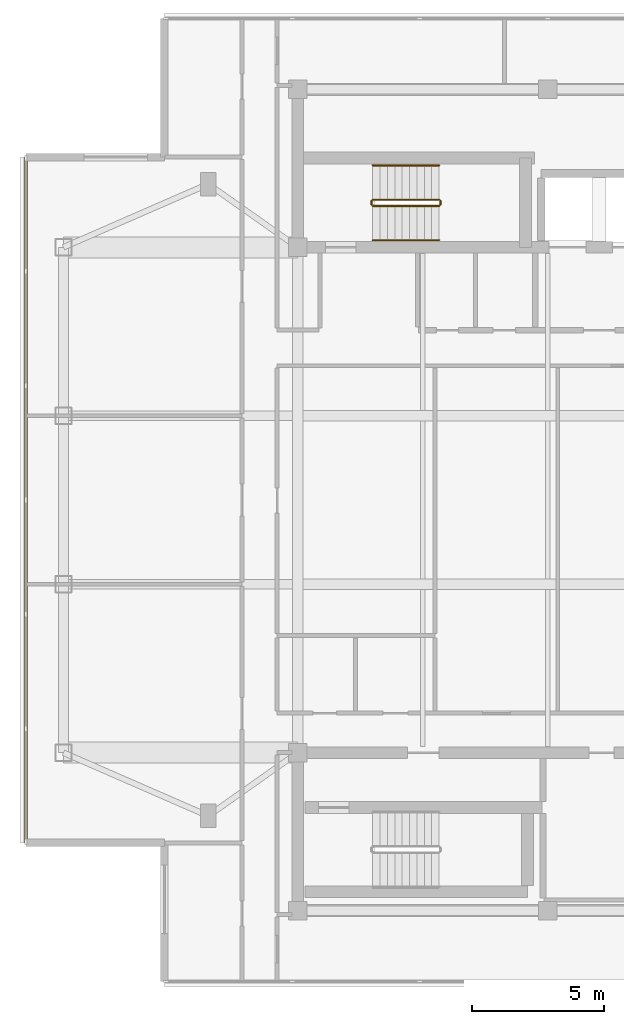
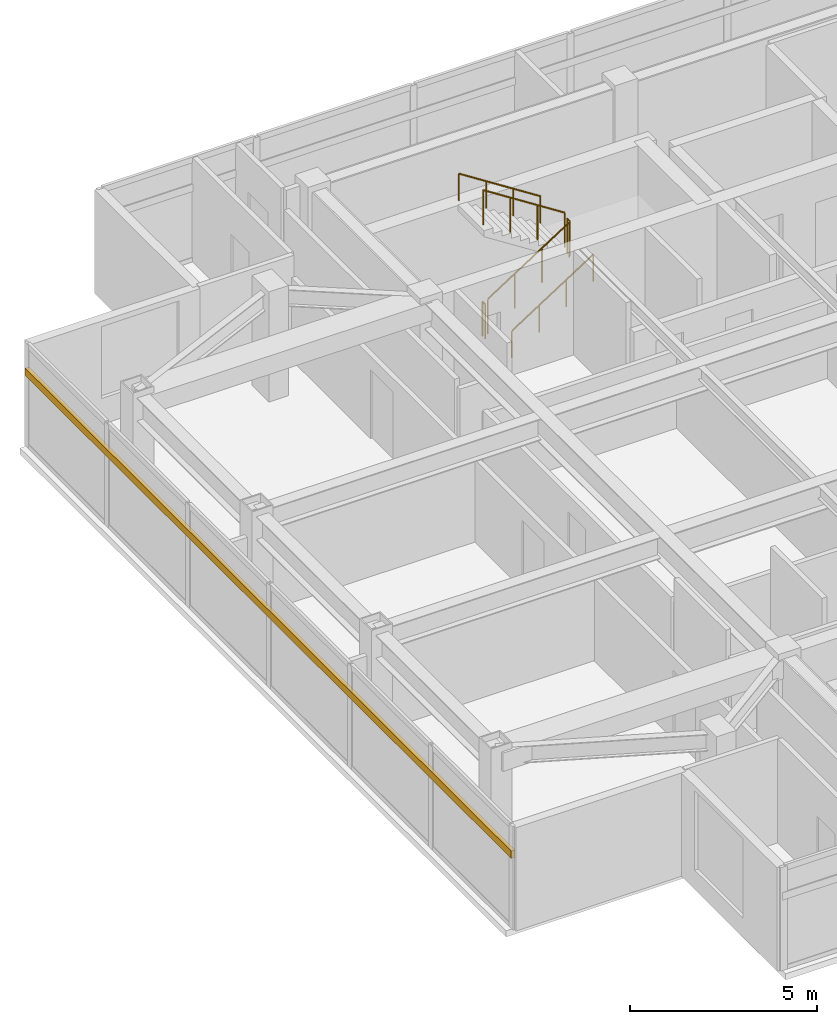
# One storey, part 9 of 10: 6 railings, 1 shading device.
"""IFC4 building model written with IfcOpenShell, lengths in metres."""

from ifc_helpers import new_model, si_unit, direction, frame, origin, origin_2d, place, context, subcontext, project, spatial, rectangle, circle, extrude, material, material_profile, profile_set, type_object, element, save


model = new_model("IFC4")

# Units and contexts
model_context = context("Model", 3, precision=1e-05, world=origin(), true_north=direction((0.0, 1.0)))
body_context = subcontext(model_context, "Body", "Model", "MODEL_VIEW")
ifc_project = project(units=[si_unit("LENGTHUNIT", "METRE"), si_unit("AREAUNIT", "SQUARE_METRE"), si_unit("VOLUMEUNIT", "CUBIC_METRE"), si_unit("PLANEANGLEUNIT", "RADIAN"), si_unit("MASSUNIT", "GRAM", prefix="KILO")], contexts=[model_context])

# Site, building, storey
site_placement = place(None, origin())
site = spatial("IfcSite", under=ifc_project, at=site_placement, CompositionType="ELEMENT")
building_placement = place(site_placement, origin())
building = spatial("IfcBuilding", under=site, at=building_placement, Name="Mirazonda Arch Towers", CompositionType="ELEMENT")
storey_placement = place(building_placement, frame((0.0, 0.0, 249.10009765625)))
storey = spatial("IfcBuildingStorey", under=building, at=storey_placement, Name="L71", CompositionType="ELEMENT", Elevation=249.10009765625)

# Shading device
ifc_material_1 = material(Name="Kiln-Fired Architectural Terracotta", Category="masonry")
ifc_material_profile = material_profile(ifc_material_1, rectangle(XDim=0.1201171875, YDim=0.239990234375, at=origin_2d()), Name="TERRA-BAG-120x240")
ifc_profile_set = profile_set([ifc_material_profile], Name="Kiln-Fired Architectural Terracotta")
shading_device_type = type_object("IfcShadingDeviceType", Name="BAGUETTE-1", PredefinedType="USERDEFINED", material=ifc_profile_set)
shading_device_placement = place(storey_placement, frame((0.669921875, 41.02490234375, 2.43359375), z_axis=(0.0, -1.0, 0.0), x_axis=(1.0, 0.0, 0.0)))
element("IfcShadingDevice", 1, at=shading_device_placement, inside=storey, type_object=shading_device_type, Name="L71 Glazed Terracotta Sun-Screen Baguette CW-L71-T1-W", ObjectType="BAGUETTE", PredefinedType="USERDEFINED", context=body_context, shape_type="SweptSolid", body=[
    extrude(rectangle(XDim=0.1201171875, YDim=0.239990234375, at=origin_2d()), origin(), (0.0, 0.0, 1.0), 26.0498046875),
])

# Railings
ifc_material_2 = material(Name="Architectural Brushed Steel S355", Category="steel")
railing_type_1 = type_object("IfcRailingType", Name="GUARD-STAIR-1120", PredefinedType="GUARDRAIL", material=ifc_material_2)
railing_1_placement = place(storey_placement, frame((13.85009765625, 39.169921875, 0.179931640625)))
element("IfcRailing", 2, at=railing_1_placement, inside=storey, type_object=railing_type_1, Name="L71 ST-T1N stair guard 1", PredefinedType="GUARDRAIL", context=body_context, shape_type="SweptSolid", body=[
    extrude(circle(Radius=0.02392578125, at=origin_2d()), frame((0.0, 0.0, 1.1259765625), z_axis=(0.841199657755, 0.0, 0.540724639528), x_axis=(0.0, 1.0, 0.0)), (0.0, 0.0, 1.0), 2.995849609375),
    extrude(circle(Radius=0.02099609375, at=origin_2d()), origin(), (0.0, 0.0, 1.0), 1.101806640625),
    extrude(circle(Radius=0.02099609375, at=origin_2d()), frame((0.840087890625, 0.0, 0.5400390625)), (0.0, 0.0, 1.0), 1.101806640625),
    extrude(circle(Radius=0.02099609375, at=origin_2d()), frame((1.679931640625, 0.0, 1.079833984375)), (0.0, 0.0, 1.0), 1.101806640625),
    extrude(circle(Radius=0.02099609375, at=origin_2d()), frame((2.52001953125, 0.0, 1.619873046875)), (0.0, 0.0, 1.0), 1.101806640625),
])
railing_2_placement = place(storey_placement, frame((16.419921875, 39.219970703125, 1.7998046875)))
element("IfcRailing", 3, at=railing_2_placement, inside=storey, type_object=railing_type_1, Name="L71 ST-T1N stair guard 2", PredefinedType="GUARDRAIL", context=body_context, shape_type="SweptSolid", body=[
    extrude(circle(Radius=0.02392578125, at=origin_2d()), frame((0.0, 0.0, 1.1259765625), z_axis=(0.0, 1.0, 0.0), x_axis=(-1.0, 0.0, 0.0)), (0.0, 0.0, 1.0), 0.14013671875),
    extrude(circle(Radius=0.02099609375, at=origin_2d()), origin(), (0.0, 0.0, 1.0), 1.101806640625),
    extrude(circle(Radius=0.02099609375, at=origin_2d()), frame((0.0, 0.14013671875, 0.0)), (0.0, 0.0, 1.0), 1.101806640625),
])
railing_3_placement = place(storey_placement, frame((16.3701171875, 39.409912109375, 1.97998046875)))
element("IfcRailing", 4, at=railing_3_placement, inside=storey, type_object=railing_type_1, Name="L71 ST-T1N stair guard 3", PredefinedType="GUARDRAIL", context=body_context, shape_type="SweptSolid", body=[
    extrude(circle(Radius=0.02392578125, at=origin_2d()), frame((0.0, 0.0, 1.1259765625), z_axis=(-0.841199657755, 0.0, 0.540724639528), x_axis=(0.0, -1.0, 0.0)), (0.0, 0.0, 1.0), 2.995849609375),
    extrude(circle(Radius=0.02099609375, at=origin_2d()), origin(), (0.0, 0.0, 1.0), 1.101806640625),
    extrude(circle(Radius=0.02099609375, at=origin_2d()), frame((-0.840087890625, 0.0, 0.5400390625)), (0.0, 0.0, 1.0), 1.101806640625),
    extrude(circle(Radius=0.02099609375, at=origin_2d()), frame((-1.679931640625, 0.0, 1.079833984375)), (0.0, 0.0, 1.0), 1.101806640625),
    extrude(circle(Radius=0.02099609375, at=origin_2d()), frame((-2.52001953125, 0.0, 1.619873046875)), (0.0, 0.0, 1.0), 1.101806640625),
])
railing_4_placement = place(storey_placement, frame((13.800048828125, 39.219970703125, 0.0)))
element("IfcRailing", 5, at=railing_4_placement, inside=storey, type_object=railing_type_1, Name="L71 ST-T1N stair guard 4", PredefinedType="GUARDRAIL", context=body_context, shape_type="SweptSolid", body=[
    extrude(circle(Radius=0.02392578125, at=origin_2d()), frame((0.0, 0.0, 1.1259765625), z_axis=(0.0, 1.0, 0.0), x_axis=(-1.0, 0.0, 0.0)), (0.0, 0.0, 1.0), 0.14013671875),
    extrude(circle(Radius=0.02099609375, at=origin_2d()), origin(), (0.0, 0.0, 1.0), 1.101806640625),
    extrude(circle(Radius=0.02099609375, at=origin_2d()), frame((0.0, 0.14013671875, 0.0)), (0.0, 0.0, 1.0), 1.101806640625),
])
railing_type_2 = type_object("IfcRailingType", Name="HANDRAIL-915", PredefinedType="HANDRAIL", material=ifc_material_2)
railing_5_placement = place(storey_placement, frame((13.85009765625, 37.8701171875, 0.179931640625)))
element("IfcRailing", 6, at=railing_5_placement, inside=storey, type_object=railing_type_2, Name="L71 ST-T1N stair handrail 1", PredefinedType="HANDRAIL", context=body_context, shape_type="SweptSolid", body=[
    extrude(circle(Radius=0.02392578125, at=origin_2d()), frame((0.0, 0.0, 0.8759765625), z_axis=(0.841199657755, 0.0, 0.540724639528), x_axis=(0.0, 1.0, 0.0)), (0.0, 0.0, 1.0), 2.995849609375),
    extrude(circle(Radius=0.02099609375, at=origin_2d()), origin(), (0.0, 0.0, 1.0), 0.851806640625),
    extrude(circle(Radius=0.02099609375, at=origin_2d()), frame((0.840087890625, 0.0, 0.5400390625)), (0.0, 0.0, 1.0), 0.851806640625),
    extrude(circle(Radius=0.02099609375, at=origin_2d()), frame((1.679931640625, 0.0, 1.079833984375)), (0.0, 0.0, 1.0), 0.851806640625),
    extrude(circle(Radius=0.02099609375, at=origin_2d()), frame((2.52001953125, 0.0, 1.619873046875)), (0.0, 0.0, 1.0), 0.851806640625),
])
railing_6_placement = place(storey_placement, frame((16.3701171875, 40.7099609375, 1.97998046875)))
element("IfcRailing", 7, at=railing_6_placement, inside=storey, type_object=railing_type_2, Name="L71 ST-T1N stair handrail 2", PredefinedType="HANDRAIL", context=body_context, shape_type="SweptSolid", body=[
    extrude(circle(Radius=0.02392578125, at=origin_2d()), frame((0.0, 0.0, 0.8759765625), z_axis=(-0.841199657755, 0.0, 0.540724639528), x_axis=(0.0, -1.0, 0.0)), (0.0, 0.0, 1.0), 2.995849609375),
    extrude(circle(Radius=0.02099609375, at=origin_2d()), origin(), (0.0, 0.0, 1.0), 0.851806640625),
    extrude(circle(Radius=0.02099609375, at=origin_2d()), frame((-0.840087890625, 0.0, 0.5400390625)), (0.0, 0.0, 1.0), 0.851806640625),
    extrude(circle(Radius=0.02099609375, at=origin_2d()), frame((-1.679931640625, 0.0, 1.079833984375)), (0.0, 0.0, 1.0), 0.851806640625),
    extrude(circle(Radius=0.02099609375, at=origin_2d()), frame((-2.52001953125, 0.0, 1.619873046875)), (0.0, 0.0, 1.0), 0.851806640625),
])

save(model, "model.ifc")
